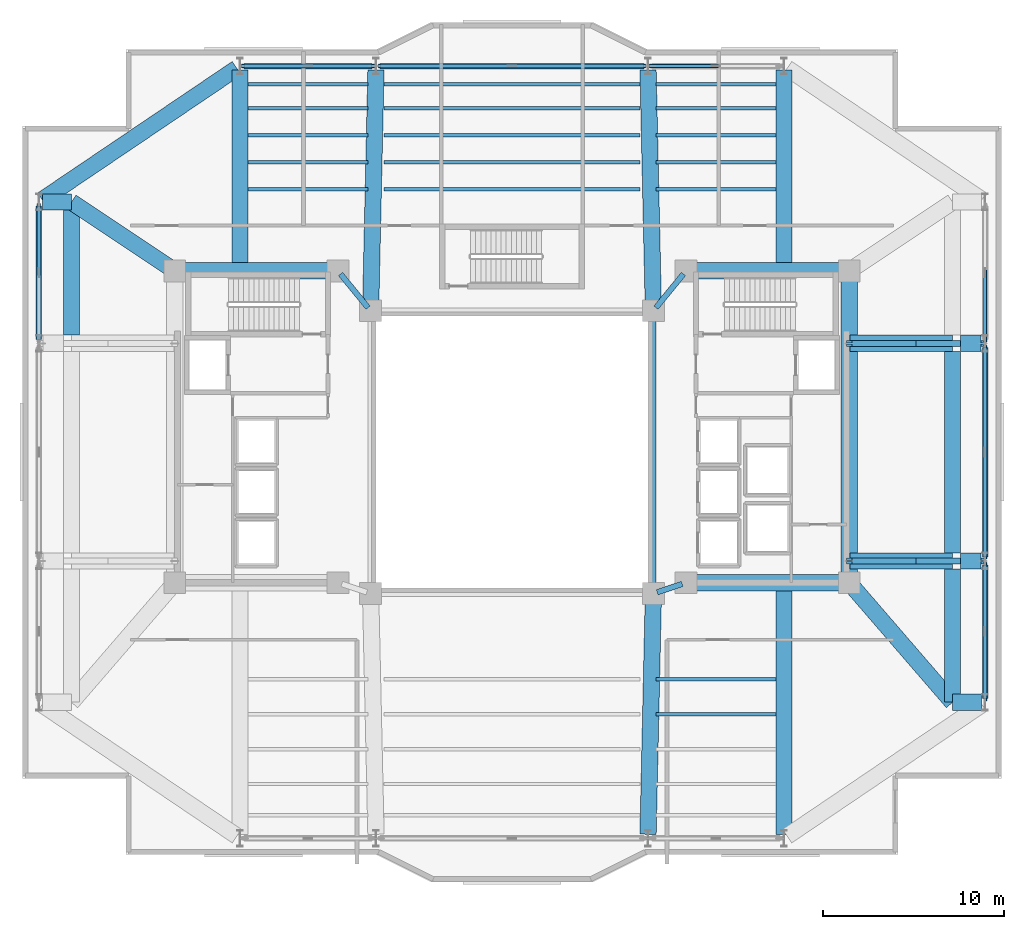
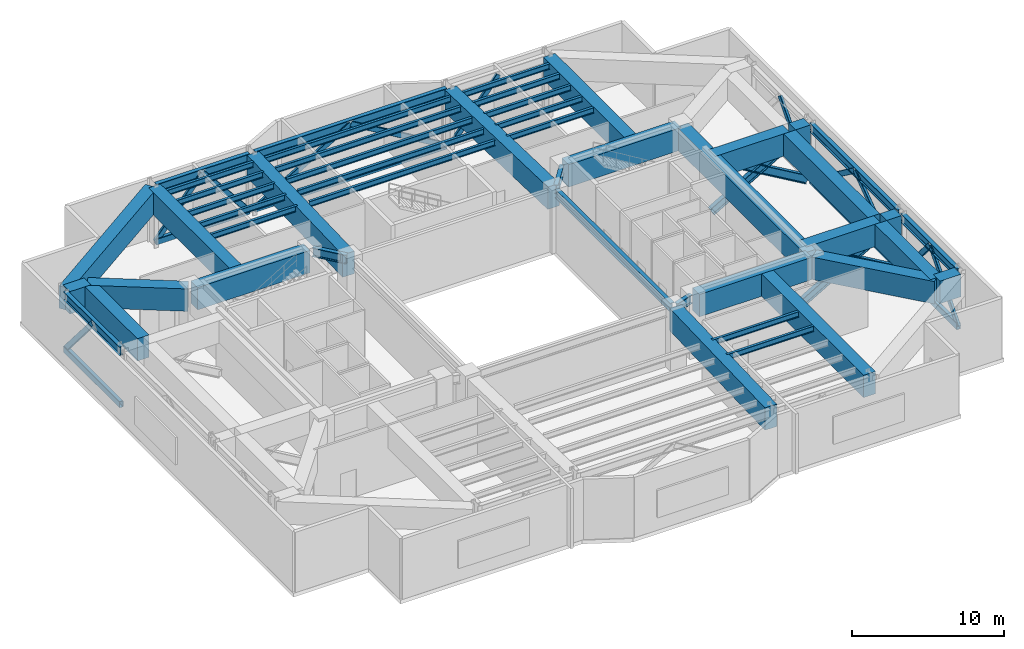
# One storey, part 2 of 13: 48 beams, 20 members.
"""IFC4 building model written with IfcOpenShell, lengths in metres."""

import ifcopenshell
import ifcopenshell.guid

model = None  # the IFC model being written
_history = None  # IfcOwnerHistory: only IFC2X3 demands one
_inside = {}  # id of a spatial element -> (the spatial element, [elements in it])
_under = {}  # id of a project, library or spatial element -> (it, [spatial elements below it])
_declared = {}  # id of a project -> (the project, [libraries it declares])
_typed = {}  # id of a type object -> (the type object, [elements of that type])
_made_of = {}  # id of a material, layer set ... -> (it, [elements and type objects made of it])


def new_model(schema):
    """Start an empty IFC model of exactly this schema.

    Asked for "IFC4X3", IfcOpenShell would pick the latest addendum, in which some entities
    have other attributes; the version numbers below select the first issue.
    IFC2X3 requires an IfcOwnerHistory on every rooted entity: one is made here for all.
    """
    global model, _history
    if schema == "IFC4X3":
        model = ifcopenshell.file(schema_version=(4, 3, 0, 0))
    else:
        model = ifcopenshell.file(schema=schema)
    _inside.clear()
    _under.clear()
    _declared.clear()
    _typed.clear()
    _made_of.clear()
    _history = None
    if model.schema == "IFC2X3":
        org = make("IfcOrganization", Name="unknown")
        user = make(
            "IfcPersonAndOrganization",
            ThePerson=make("IfcPerson", FamilyName="unknown"),
            TheOrganization=org,
        )
        app = make(
            "IfcApplication",
            ApplicationDeveloper=org,
            Version="unknown",
            ApplicationFullName="unknown",
            ApplicationIdentifier="unknown",
        )
        _history = make(
            "IfcOwnerHistory",
            OwningUser=user,
            OwningApplication=app,
            ChangeAction="ADDED",
            CreationDate=0,
        )
    return model


def make(cls, **values):
    """One entity of the class cls with the attributes given. An attribute that is None is left unset."""
    return model.create_entity(
        cls, **{name: value for name, value in values.items() if value is not None}
    )


def rooted(cls, **values):
    """An entity with a GlobalId (a new one), such as an element, a storey or a relation."""
    return make(cls, GlobalId=ifcopenshell.guid.new(), OwnerHistory=_history, **values)


def si_unit(unit_type, name, prefix=None):
    """IfcSIUnit, for example si_unit("LENGTHUNIT", "METRE", prefix="MILLI")."""
    return make("IfcSIUnit", UnitType=unit_type, Prefix=prefix, Name=name)


def assignment(units):
    """IfcUnitAssignment: the units of a project."""
    return None if units is None else make("IfcUnitAssignment", Units=units)


def point(xyz):
    """IfcCartesianPoint."""
    return None if xyz is None else make("IfcCartesianPoint", Coordinates=xyz)


def direction(xyz):
    """IfcDirection."""
    return None if xyz is None else make("IfcDirection", DirectionRatios=xyz)


def frame(location, z_axis=None, x_axis=None):
    """IfcAxis2Placement3D, a coordinate frame: its origin and axes. An axis left out is left unset."""
    return make(
        "IfcAxis2Placement3D",
        Location=point(location),
        Axis=direction(z_axis),
        RefDirection=direction(x_axis),
    )


def frame_2d(location, x_axis=None):
    """IfcAxis2Placement2D, a coordinate frame in the plane: its origin and x axis."""
    return make(
        "IfcAxis2Placement2D", Location=point(location), RefDirection=direction(x_axis)
    )


def origin():
    """The frame at (0, 0, 0) with its axes left unset."""
    return frame((0.0, 0.0, 0.0))


def origin_2d():
    """The frame at (0, 0) in the plane with its x axis left unset."""
    return frame_2d((0.0, 0.0))


def place(relative_to, where):
    """IfcLocalPlacement: puts the frame where relative to a parent placement (None: the world)."""
    return make(
        "IfcLocalPlacement", PlacementRelTo=relative_to, RelativePlacement=where
    )


def context(
    kind, dimensions, precision=None, world=None, true_north=None, identifier=None
):
    """IfcGeometricRepresentationContext, for example the 3D "Model" context."""
    return make(
        "IfcGeometricRepresentationContext",
        ContextIdentifier=identifier,
        ContextType=kind,
        CoordinateSpaceDimension=dimensions,
        Precision=precision,
        WorldCoordinateSystem=world,
        TrueNorth=true_north,
    )


def subcontext(parent, identifier, kind, view, scale=None):
    """IfcGeometricRepresentationSubContext, for example "Body" below "Model"."""
    return make(
        "IfcGeometricRepresentationSubContext",
        ContextIdentifier=identifier,
        ContextType=kind,
        ParentContext=parent,
        TargetScale=scale,
        TargetView=view,
    )


def project(units=None, contexts=None):
    """IfcProject with its units and contexts."""
    return rooted(
        "IfcProject",
        Name="project",
        RepresentationContexts=contexts,
        UnitsInContext=assignment(units),
    )


def spatial(cls, under=None, at=None, **own):
    """A site, building, storey or space (cls), placed at a placement, below another one or the project."""
    s = rooted(cls, ObjectPlacement=at, **own)
    if under is not None:
        _under.setdefault(under.id(), (under, []))[1].append(s)
    return s


def profile(cls, at=None, kind="AREA", **sizes):
    """A parametric profile (cls). Its sizes go by their IFC names, for example OverallWidth=200.0."""
    return make(cls, ProfileType=kind, Position=at, **sizes)


def rectangle(**sizes):
    """IfcRectangleProfileDef."""
    return profile("IfcRectangleProfileDef", **sizes)


def hollow_rectangle(**sizes):
    """IfcRectangleHollowProfileDef."""
    return profile("IfcRectangleHollowProfileDef", **sizes)


def i_section(**sizes):
    """IfcIShapeProfileDef."""
    return profile("IfcIShapeProfileDef", **sizes)


def extrude(swept, where, along, depth):
    """IfcExtrudedAreaSolid: the profile swept, set in the frame where, extruded along a direction by depth."""
    return make(
        "IfcExtrudedAreaSolid",
        SweptArea=swept,
        Position=where,
        ExtrudedDirection=direction(along),
        Depth=depth,
    )


def shape(context_of_items, identifier, shape_type, items):
    """IfcShapeRepresentation: the items that make up one representation, for example the "Body"."""
    return make(
        "IfcShapeRepresentation",
        ContextOfItems=context_of_items,
        RepresentationIdentifier=identifier,
        RepresentationType=shape_type,
        Items=items,
    )


def material(Name=None, Category=None):
    """IfcMaterial."""
    return make("IfcMaterial", Name=Name, Category=Category)


def material_profile(
    of_material, cross_section, Name=None, Category=None, Priority=None
):
    """IfcMaterialProfile: a cross section and its material."""
    return make(
        "IfcMaterialProfile",
        Name=Name,
        Material=of_material,
        Profile=cross_section,
        Priority=Priority,
        Category=Category,
    )


def profile_set(profiles, Name=None, composite=None):
    """IfcMaterialProfileSet."""
    return make(
        "IfcMaterialProfileSet",
        Name=Name,
        MaterialProfiles=profiles,
        CompositeProfile=composite,
    )


def made_of(thing, what):
    """Note that an element or type object is made of a material, layer set ...; save() writes the relation."""
    if what is not None:
        _made_of.setdefault(what.id(), (what, []))[1].append(thing)
    return thing


def type_object(cls, material=None, **own):
    """A type object (cls), such as IfcWallType, which elements share."""
    return made_of(rooted(cls, **own), material)


def element(
    cls,
    number,
    at=None,
    inside=None,
    cuts=None,
    type_object=None,
    material=None,
    context=None,
    identifier="Body",
    shape_type=None,
    held_by="IfcProductDefinitionShape",
    body=None,
    shapes=None,
    **own,
):
    """One element of the class cls, such as IfcWall. Its Tag is "e" and its number.

    at: its placement. inside: the storey or other place that contains it. cuts: it is an
    opening in that element (IfcRelVoidsElement). A single representation is given by context,
    identifier, shape_type and body (its items); several are given by shapes. held_by: the class
    of the entity that holds the representations. save() writes the other relations.
    """
    e = rooted(cls, Tag="e%d" % number, ObjectPlacement=at, **own)
    if body is not None:
        shapes = [shape(context, identifier, shape_type, body)]
    if shapes is not None:
        e.Representation = make(held_by, Representations=shapes)
    if inside is not None:
        _inside.setdefault(inside.id(), (inside, []))[1].append(e)
    if cuts is not None:
        rooted(
            "IfcRelVoidsElement", RelatingBuildingElement=cuts, RelatedOpeningElement=e
        )
    if type_object is not None:
        _typed.setdefault(type_object.id(), (type_object, []))[1].append(e)
    return made_of(e, material)


def aggregate(whole, parts):
    """IfcRelAggregates: a whole, such as a stair, and the parts it consists of."""
    return rooted("IfcRelAggregates", RelatingObject=whole, RelatedObjects=parts)


def save(model, path):
    """Write the relations noted so far, then the file.

    IfcRelAggregates (storeys below a building ...), IfcRelContainedInSpatialStructure (elements
    in a storey), IfcRelDefinesByType, IfcRelAssociatesMaterial and IfcRelDeclares: one each for
    every whole, place, type object, material and project.
    """
    for whole, parts in _under.values():
        aggregate(whole, parts)
    for where, things in _inside.values():
        rooted(
            "IfcRelContainedInSpatialStructure",
            RelatedElements=things,
            RelatingStructure=where,
        )
    for kind, things in _typed.values():
        rooted("IfcRelDefinesByType", RelatedObjects=things, RelatingType=kind)
    for what, things in _made_of.values():
        rooted("IfcRelAssociatesMaterial", RelatedObjects=things, RelatingMaterial=what)
    for by, libraries in _declared.values():
        rooted("IfcRelDeclares", RelatingContext=by, RelatedDefinitions=libraries)
    model.write(path)


model = new_model("IFC4")

# Units and contexts
model_context = context("Model", 3, precision=1e-05, world=origin(), true_north=direction((0.0, 1.0)))
body_context = subcontext(model_context, "Body", "Model", "MODEL_VIEW")
ifc_project = project(units=[si_unit("LENGTHUNIT", "METRE"), si_unit("AREAUNIT", "SQUARE_METRE"), si_unit("VOLUMEUNIT", "CUBIC_METRE"), si_unit("PLANEANGLEUNIT", "RADIAN"), si_unit("MASSUNIT", "GRAM", prefix="KILO")], contexts=[model_context])

# Site, building, storey
site_placement = place(None, origin())
site = spatial("IfcSite", under=ifc_project, at=site_placement, CompositionType="ELEMENT")
building_placement = place(site_placement, origin())
building = spatial("IfcBuilding", under=site, at=building_placement, Name="Tarnavaz Court Tower", CompositionType="ELEMENT")
storey_placement = place(building_placement, frame((0.0, 0.0, 127.5)))
storey = spatial("IfcBuildingStorey", under=building, at=storey_placement, Name="L34", CompositionType="ELEMENT", Elevation=127.5)

# Beams
ifc_material_1 = material(Name="Steel S460", Category="steel")
ifc_material_profile_1 = material_profile(ifc_material_1, i_section(OverallWidth=0.303955078125, OverallDepth=0.716064453125, WebThickness=0.02099609375, FlangeThickness=0.0400390625, FilletRadius=0.027099609375, at=origin_2d()), Name="HEM 700")
ifc_profile_set_1 = profile_set([ifc_material_profile_1], Name="Steel S460")
beam_type_1 = type_object("IfcBeamType", Name="BM-BT-HEM700", PredefinedType="USERDEFINED", material=ifc_profile_set_1)
beam_1_placement = place(storey_placement, frame((7.800048828125, -7.580078125, 4.491943359375), z_axis=(0.0, 1.0, 0.0), x_axis=(-1.0, 0.0, 0.0)))
element("IfcBeam", 1, at=beam_1_placement, inside=storey, type_object=beam_type_1, Name="L34 Beam IN-IW-SE-IW-NE", ObjectType="GIRDER", PredefinedType="USERDEFINED", context=body_context, shape_type="SweptSolid", body=[
    extrude(i_section(OverallWidth=0.303955078125, OverallDepth=0.716064453125, WebThickness=0.02099609375, FlangeThickness=0.0400390625, FilletRadius=0.027099609375, at=origin_2d()), origin(), (0.0, 0.0, 1.0), 15.16015625),
])
beam_2_placement = place(storey_placement, frame((9.391357421875, -7.26953125, 4.491943359375), z_axis=(-0.948666544706, -0.316278021615, 0.0), x_axis=(0.316278021615, -0.948666544706, 0.0)))
element("IfcBeam", 2, at=beam_2_placement, inside=storey, type_object=beam_type_1, Name="L34 Beam IN-CE-SI-IW-SE", ObjectType="GIRDER", PredefinedType="USERDEFINED", context=body_context, shape_type="SweptSolid", body=[
    extrude(i_section(OverallWidth=0.303955078125, OverallDepth=0.716064453125, WebThickness=0.02099609375, FlangeThickness=0.0400390625, FilletRadius=0.027099609375, at=origin_2d()), origin(), (0.0, 0.0, 1.0), 1.457275390625),
])
for number, where, z_axis, x_axis, name in (
    (3, (-9.460693359375, 9.82958984375, 4.491943359375), (0.633282058357, -0.773921077735, 0.0), (0.773921077735, 0.633282058357, 0.0), "L34 Beam IN-CW-NI-IW-NW"),
    (4, (9.460693359375, 9.82958984375, 4.491943359375), (-0.633282058357, -0.773921077735, 0.0), (0.773921077735, -0.633282058357, 0.0), "L34 Beam IN-CE-NI-IW-NE"),
):
    element("IfcBeam", number, at=place(storey_placement, frame(where, z_axis=z_axis, x_axis=x_axis)), inside=storey, type_object=beam_type_1, Name=name, ObjectType="GIRDER", PredefinedType="USERDEFINED", context=body_context, shape_type="SweptSolid", body=[
        extrude(i_section(OverallWidth=0.303955078125, OverallDepth=0.716064453125, WebThickness=0.02099609375, FlangeThickness=0.0400390625, FilletRadius=0.027099609375, at=origin_2d()), origin(), (0.0, 0.0, 1.0), 2.402587890625),
    ])
beam_3_placement = place(storey_placement, frame((-14.780029296875, 21.300048828125, 4.491943359375), z_axis=(1.0, 0.0, 0.0), x_axis=(0.0, 1.0, 0.0)))
element("IfcBeam", 5, at=beam_3_placement, inside=storey, type_object=beam_type_1, Name="L34 Beam PR-PN-1-PN-2", ObjectType="GIRDER", PredefinedType="USERDEFINED", context=body_context, shape_type="SweptSolid", body=[
    extrude(i_section(OverallWidth=0.303955078125, OverallDepth=0.716064453125, WebThickness=0.02099609375, FlangeThickness=0.0400390625, FilletRadius=0.027099609375, at=origin_2d()), origin(), (0.0, 0.0, 1.0), 7.06005859375),
])
beam_4_placement = place(storey_placement, frame((-7.280029296875, 21.300048828125, 4.491943359375), z_axis=(1.0, 0.0, 0.0), x_axis=(0.0, 1.0, 0.0)))
element("IfcBeam", 6, at=beam_4_placement, inside=storey, type_object=beam_type_1, Name="L34 Beam PR-PN-2-PN-3", ObjectType="GIRDER", PredefinedType="USERDEFINED", context=body_context, shape_type="SweptSolid", body=[
    extrude(i_section(OverallWidth=0.303955078125, OverallDepth=0.716064453125, WebThickness=0.02099609375, FlangeThickness=0.0400390625, FilletRadius=0.027099609375, at=origin_2d()), origin(), (0.0, 0.0, 1.0), 14.56005859375),
])
beam_5_placement = place(storey_placement, frame((26.10009765625, -13.580078125, 4.491943359375), z_axis=(0.0, 1.0, 0.0), x_axis=(-1.0, 0.0, 0.0)))
element("IfcBeam", 7, at=beam_5_placement, inside=storey, type_object=beam_type_1, Name="L34 Beam PR-PE-1-PE-2", ObjectType="GIRDER", PredefinedType="USERDEFINED", context=body_context, shape_type="SweptSolid", body=[
    extrude(i_section(OverallWidth=0.303955078125, OverallDepth=0.716064453125, WebThickness=0.02099609375, FlangeThickness=0.0400390625, FilletRadius=0.027099609375, at=origin_2d()), origin(), (0.0, 0.0, 1.0), 7.360107421875),
])
beam_6_placement = place(storey_placement, frame((26.10009765625, -5.780029296875, 4.491943359375), z_axis=(0.0, 1.0, 0.0), x_axis=(-1.0, 0.0, 0.0)))
element("IfcBeam", 8, at=beam_6_placement, inside=storey, type_object=beam_type_1, Name="L34 Beam PR-PE-2-PE-3", ObjectType="GIRDER", PredefinedType="USERDEFINED", context=body_context, shape_type="SweptSolid", body=[
    extrude(i_section(OverallWidth=0.303955078125, OverallDepth=0.716064453125, WebThickness=0.02099609375, FlangeThickness=0.0400390625, FilletRadius=0.027099609375, at=origin_2d()), origin(), (0.0, 0.0, 1.0), 11.56005859375),
])
beam_7_placement = place(storey_placement, frame((-26.10009765625, 6.219970703125, 4.491943359375), z_axis=(0.0, 1.0, 0.0), x_axis=(-1.0, 0.0, 0.0)))
element("IfcBeam", 9, at=beam_7_placement, inside=storey, type_object=beam_type_1, Name="L34 Beam PR-PW-3-PW-4", ObjectType="GIRDER", PredefinedType="USERDEFINED", context=body_context, shape_type="SweptSolid", body=[
    extrude(i_section(OverallWidth=0.303955078125, OverallDepth=0.716064453125, WebThickness=0.02099609375, FlangeThickness=0.0400390625, FilletRadius=0.027099609375, at=origin_2d()), origin(), (0.0, 0.0, 1.0), 7.360107421875),
])
ifc_material_2 = material(Name="Steel S355", Category="steel")
ifc_material_profile_2 = material_profile(ifc_material_2, i_section(OverallWidth=0.18994140625, OverallDepth=0.449951171875, WebThickness=0.009521484375, FlangeThickness=0.0146484375, FilletRadius=0.02099609375, at=origin_2d()), Name="IPE 450")
ifc_profile_set_2 = profile_set([ifc_material_profile_2], Name="Steel S355")
beam_type_2 = type_object("IfcBeamType", Name="BM-J-IPE450", PredefinedType="JOIST", material=ifc_profile_set_2)
beam_8_placement = place(storey_placement, frame((-14.550048828125, 14.493896484375, 4.625), z_axis=(1.0, 0.0, 0.0), x_axis=(0.0, 1.0, 0.0)))
element("IfcBeam", 10, at=beam_8_placement, inside=storey, type_object=beam_type_2, Name="L34 Beam JN1-1", PredefinedType="JOIST", context=body_context, shape_type="SweptSolid", body=[
    extrude(i_section(OverallWidth=0.18994140625, OverallDepth=0.449951171875, WebThickness=0.009521484375, FlangeThickness=0.0146484375, FilletRadius=0.02099609375, at=origin_2d()), origin(), (0.0, 0.0, 1.0), 6.60009765625),
])
beam_9_placement = place(storey_placement, frame((-7.050048828125, 14.493896484375, 4.625), z_axis=(1.0, 0.0, 0.0), x_axis=(0.0, 1.0, 0.0)))
element("IfcBeam", 11, at=beam_9_placement, inside=storey, type_object=beam_type_2, Name="L34 Beam JN1-2", PredefinedType="JOIST", context=body_context, shape_type="SweptSolid", body=[
    extrude(i_section(OverallWidth=0.18994140625, OverallDepth=0.449951171875, WebThickness=0.009521484375, FlangeThickness=0.0146484375, FilletRadius=0.02099609375, at=origin_2d()), origin(), (0.0, 0.0, 1.0), 14.10009765625),
])
for number, where, z_axis, x_axis, name in (
    (12, (7.949951171875, 14.493896484375, 4.625), (1.0, 0.0, 0.0), (0.0, 1.0, 0.0), "L34 Beam JN1-3"),
    (13, (7.949951171875, -12.52587890625, 4.625), (1.0, 0.0, 0.0), (0.0, 1.0, 0.0), "L34 Beam JS1-3"),
    (14, (-14.550048828125, 15.988037109375, 4.625), (1.0, 0.0, 0.0), (0.0, 1.0, 0.0), "L34 Beam JN2-1"),
):
    element("IfcBeam", number, at=place(storey_placement, frame(where, z_axis=z_axis, x_axis=x_axis)), inside=storey, type_object=beam_type_2, Name=name, PredefinedType="JOIST", context=body_context, shape_type="SweptSolid", body=[
        extrude(i_section(OverallWidth=0.18994140625, OverallDepth=0.449951171875, WebThickness=0.009521484375, FlangeThickness=0.0146484375, FilletRadius=0.02099609375, at=origin_2d()), origin(), (0.0, 0.0, 1.0), 6.60009765625),
    ])
beam_10_placement = place(storey_placement, frame((-7.050048828125, 15.988037109375, 4.625), z_axis=(1.0, 0.0, 0.0), x_axis=(0.0, 1.0, 0.0)))
element("IfcBeam", 15, at=beam_10_placement, inside=storey, type_object=beam_type_2, Name="L34 Beam JN2-2", PredefinedType="JOIST", context=body_context, shape_type="SweptSolid", body=[
    extrude(i_section(OverallWidth=0.18994140625, OverallDepth=0.449951171875, WebThickness=0.009521484375, FlangeThickness=0.0146484375, FilletRadius=0.02099609375, at=origin_2d()), origin(), (0.0, 0.0, 1.0), 14.10009765625),
])
for number, where, z_axis, x_axis, name in (
    (16, (7.949951171875, 15.988037109375, 4.625), (1.0, 0.0, 0.0), (0.0, 1.0, 0.0), "L34 Beam JN2-3"),
    (17, (7.949951171875, -14.451904296875, 4.625), (1.0, 0.0, 0.0), (0.0, 1.0, 0.0), "L34 Beam JS2-3"),
    (18, (-14.550048828125, 17.48193359375, 4.625), (1.0, 0.0, 0.0), (0.0, 1.0, 0.0), "L34 Beam JN3-1"),
):
    element("IfcBeam", number, at=place(storey_placement, frame(where, z_axis=z_axis, x_axis=x_axis)), inside=storey, type_object=beam_type_2, Name=name, PredefinedType="JOIST", context=body_context, shape_type="SweptSolid", body=[
        extrude(i_section(OverallWidth=0.18994140625, OverallDepth=0.449951171875, WebThickness=0.009521484375, FlangeThickness=0.0146484375, FilletRadius=0.02099609375, at=origin_2d()), origin(), (0.0, 0.0, 1.0), 6.60009765625),
    ])
beam_11_placement = place(storey_placement, frame((-7.050048828125, 17.48193359375, 4.625), z_axis=(1.0, 0.0, 0.0), x_axis=(0.0, 1.0, 0.0)))
element("IfcBeam", 19, at=beam_11_placement, inside=storey, type_object=beam_type_2, Name="L34 Beam JN3-2", PredefinedType="JOIST", context=body_context, shape_type="SweptSolid", body=[
    extrude(i_section(OverallWidth=0.18994140625, OverallDepth=0.449951171875, WebThickness=0.009521484375, FlangeThickness=0.0146484375, FilletRadius=0.02099609375, at=origin_2d()), origin(), (0.0, 0.0, 1.0), 14.10009765625),
])
for number, where, z_axis, x_axis, name in (
    (20, (7.949951171875, 17.48193359375, 4.625), (1.0, 0.0, 0.0), (0.0, 1.0, 0.0), "L34 Beam JN3-3"),
    (21, (-14.550048828125, 18.97607421875, 4.625), (1.0, 0.0, 0.0), (0.0, 1.0, 0.0), "L34 Beam JN4-1"),
):
    element("IfcBeam", number, at=place(storey_placement, frame(where, z_axis=z_axis, x_axis=x_axis)), inside=storey, type_object=beam_type_2, Name=name, PredefinedType="JOIST", context=body_context, shape_type="SweptSolid", body=[
        extrude(i_section(OverallWidth=0.18994140625, OverallDepth=0.449951171875, WebThickness=0.009521484375, FlangeThickness=0.0146484375, FilletRadius=0.02099609375, at=origin_2d()), origin(), (0.0, 0.0, 1.0), 6.60009765625),
    ])
beam_12_placement = place(storey_placement, frame((-7.050048828125, 18.97607421875, 4.625), z_axis=(1.0, 0.0, 0.0), x_axis=(0.0, 1.0, 0.0)))
element("IfcBeam", 22, at=beam_12_placement, inside=storey, type_object=beam_type_2, Name="L34 Beam JN4-2", PredefinedType="JOIST", context=body_context, shape_type="SweptSolid", body=[
    extrude(i_section(OverallWidth=0.18994140625, OverallDepth=0.449951171875, WebThickness=0.009521484375, FlangeThickness=0.0146484375, FilletRadius=0.02099609375, at=origin_2d()), origin(), (0.0, 0.0, 1.0), 14.10009765625),
])
for number, where, z_axis, x_axis, name in (
    (23, (7.949951171875, 18.97607421875, 4.625), (1.0, 0.0, 0.0), (0.0, 1.0, 0.0), "L34 Beam JN4-3"),
    (24, (-14.550048828125, 20.303955078125, 4.625), (1.0, 0.0, 0.0), (0.0, 1.0, 0.0), "L34 Beam JN5-1"),
):
    element("IfcBeam", number, at=place(storey_placement, frame(where, z_axis=z_axis, x_axis=x_axis)), inside=storey, type_object=beam_type_2, Name=name, PredefinedType="JOIST", context=body_context, shape_type="SweptSolid", body=[
        extrude(i_section(OverallWidth=0.18994140625, OverallDepth=0.449951171875, WebThickness=0.009521484375, FlangeThickness=0.0146484375, FilletRadius=0.02099609375, at=origin_2d()), origin(), (0.0, 0.0, 1.0), 6.60009765625),
    ])
beam_13_placement = place(storey_placement, frame((-7.050048828125, 20.303955078125, 4.625), z_axis=(1.0, 0.0, 0.0), x_axis=(0.0, 1.0, 0.0)))
element("IfcBeam", 25, at=beam_13_placement, inside=storey, type_object=beam_type_2, Name="L34 Beam JN5-2", PredefinedType="JOIST", context=body_context, shape_type="SweptSolid", body=[
    extrude(i_section(OverallWidth=0.18994140625, OverallDepth=0.449951171875, WebThickness=0.009521484375, FlangeThickness=0.0146484375, FilletRadius=0.02099609375, at=origin_2d()), origin(), (0.0, 0.0, 1.0), 14.10009765625),
])
beam_14_placement = place(storey_placement, frame((7.949951171875, 20.303955078125, 4.625), z_axis=(1.0, 0.0, 0.0), x_axis=(0.0, 1.0, 0.0)))
element("IfcBeam", 26, at=beam_14_placement, inside=storey, type_object=beam_type_2, Name="L34 Beam JN5-3", PredefinedType="JOIST", context=body_context, shape_type="SweptSolid", body=[
    extrude(i_section(OverallWidth=0.18994140625, OverallDepth=0.449951171875, WebThickness=0.009521484375, FlangeThickness=0.0146484375, FilletRadius=0.02099609375, at=origin_2d()), origin(), (0.0, 0.0, 1.0), 6.60009765625),
])
ifc_material_3 = material(Name="Concrete C50/60", Category="concrete")
ifc_material_profile_3 = material_profile(ifc_material_3, rectangle(XDim=0.89990234375, YDim=1.800048828125, at=origin_2d()), Name="RC 900X1800")
ifc_profile_set_3 = profile_set([ifc_material_profile_3], Name="Concrete C50/60")
beam_type_3 = type_object("IfcBeamType", Name="BM-TG1800", PredefinedType="USERDEFINED", material=ifc_profile_set_3)
for number, where, z_axis, x_axis, name in (
    (27, (-18.3798828125, 10.0, 3.949951171875), (1.0, 0.0, 0.0), (0.0, 1.0, 0.0), "L34 Beam IN-CW-NO-CW-NI"),
    (28, (18.3798828125, -7.199951171875, 3.949951171875), (-1.0, 0.0, 0.0), (0.0, -1.0, 0.0), "L34 Beam IN-CE-SO-CE-SI"),
    (29, (18.3798828125, 10.0, 3.949951171875), (-1.0, 0.0, 0.0), (0.0, -1.0, 0.0), "L34 Beam IN-CE-NO-CE-NI"),
):
    element("IfcBeam", number, at=place(storey_placement, frame(where, z_axis=z_axis, x_axis=x_axis)), inside=storey, type_object=beam_type_3, Name=name, ObjectType="GIRDER", PredefinedType="USERDEFINED", context=body_context, shape_type="SweptSolid", body=[
        extrude(rectangle(XDim=0.89990234375, YDim=1.800048828125, at=origin_2d()), origin(), (0.0, 0.0, 1.0), 8.559814453125),
    ])
beam_15_placement = place(storey_placement, frame((18.60009765625, -6.97998046875, 3.949951171875), z_axis=(0.0, 1.0, 0.0), x_axis=(-1.0, 0.0, 0.0)))
element("IfcBeam", 30, at=beam_15_placement, inside=storey, type_object=beam_type_3, Name="L34 Beam IN-CE-SO-CE-NO", ObjectType="GIRDER", PredefinedType="USERDEFINED", context=body_context, shape_type="SweptSolid", body=[
    extrude(rectangle(XDim=0.89990234375, YDim=1.800048828125, at=origin_2d()), origin(), (0.0, 0.0, 1.0), 16.760009765625),
])
beam_16_placement = place(storey_placement, frame((-25.917724609375, 13.923095703125, 3.949951171875), z_axis=(0.828587314918, 0.559859858854, 0.0), x_axis=(-0.559859858854, 0.828587314918, 0.0)))
element("IfcBeam", 31, at=beam_16_placement, inside=storey, type_object=beam_type_3, Name="L34 Beam PR-PW-4-PN-1", ObjectType="GIRDER", PredefinedType="USERDEFINED", context=body_context, shape_type="SweptSolid", body=[
    extrude(rectangle(XDim=0.89990234375, YDim=1.800048828125, at=origin_2d()), origin(), (0.0, 0.0, 1.0), 12.956298828125),
])
beam_17_placement = place(storey_placement, frame((-15.0, 10.0400390625, 3.949951171875), z_axis=(0.0, 1.0, 0.0), x_axis=(-1.0, 0.0, 0.0)))
element("IfcBeam", 32, at=beam_17_placement, inside=storey, type_object=beam_type_3, Name="L34 Beam RG-01", ObjectType="GIRDER", PredefinedType="USERDEFINED", context=body_context, shape_type="SweptSolid", body=[
    extrude(rectangle(XDim=0.89990234375, YDim=1.800048828125, at=origin_2d()), origin(), (0.0, 0.0, 1.0), 11.0400390625),
])
for number, where, z_axis, x_axis, name in (
    (33, (-7.795166015625, 8.02001953125, 3.949951171875), (0.022221303469, 0.99975307635, 0.0), (-0.99975307635, 0.022221303469, 0.0), "L34 Beam RG-02"),
    (34, (7.795166015625, 8.02001953125, 3.949951171875), (-0.022221303469, 0.99975307635, 0.0), (-0.99975307635, -0.022221303469, 0.0), "L34 Beam RG-03"),
):
    element("IfcBeam", number, at=place(storey_placement, frame(where, z_axis=z_axis, x_axis=x_axis)), inside=storey, type_object=beam_type_3, Name=name, ObjectType="GIRDER", PredefinedType="USERDEFINED", context=body_context, shape_type="SweptSolid", body=[
        extrude(rectangle(XDim=0.89990234375, YDim=1.800048828125, at=origin_2d()), origin(), (0.0, 0.0, 1.0), 13.063232421875),
    ])
beam_18_placement = place(storey_placement, frame((15.0, 10.0400390625, 3.949951171875), z_axis=(0.0, 1.0, 0.0), x_axis=(-1.0, 0.0, 0.0)))
element("IfcBeam", 35, at=beam_18_placement, inside=storey, type_object=beam_type_3, Name="L34 Beam RG-04", ObjectType="GIRDER", PredefinedType="USERDEFINED", context=body_context, shape_type="SweptSolid", body=[
    extrude(rectangle(XDim=0.89990234375, YDim=1.800048828125, at=origin_2d()), origin(), (0.0, 0.0, 1.0), 11.0400390625),
])
beam_19_placement = place(storey_placement, frame((7.795166015625, -8.02001953125, 3.949951171875), z_axis=(-0.022221303469, -0.99975307635, 0.0), x_axis=(0.99975307635, -0.022221303469, 0.0)))
element("IfcBeam", 36, at=beam_19_placement, inside=storey, type_object=beam_type_3, Name="L34 Beam RG-07", ObjectType="GIRDER", PredefinedType="USERDEFINED", context=body_context, shape_type="SweptSolid", body=[
    extrude(rectangle(XDim=0.89990234375, YDim=1.800048828125, at=origin_2d()), origin(), (0.0, 0.0, 1.0), 13.063232421875),
])
beam_20_placement = place(storey_placement, frame((15.0, -7.239990234375, 3.949951171875), z_axis=(0.0, -1.0, 0.0), x_axis=(1.0, 0.0, 0.0)))
element("IfcBeam", 37, at=beam_20_placement, inside=storey, type_object=beam_type_3, Name="L34 Beam RG-08", ObjectType="GIRDER", PredefinedType="USERDEFINED", context=body_context, shape_type="SweptSolid", body=[
    extrude(rectangle(XDim=0.89990234375, YDim=1.800048828125, at=origin_2d()), origin(), (0.0, 0.0, 1.0), 13.840087890625),
])
beam_21_placement = place(storey_placement, frame((18.639892578125, -6.0, 3.949951171875), z_axis=(1.0, 0.0, 0.0), x_axis=(0.0, 1.0, 0.0)))
element("IfcBeam", 38, at=beam_21_placement, inside=storey, type_object=beam_type_3, Name="L34 Beam RG-09", ObjectType="GIRDER", PredefinedType="USERDEFINED", context=body_context, shape_type="SweptSolid", body=[
    extrude(rectangle(XDim=0.89990234375, YDim=1.800048828125, at=origin_2d()), origin(), (0.0, 0.0, 1.0), 5.66015625),
])
beam_22_placement = place(storey_placement, frame((24.75, -6.0, 3.949951171875), z_axis=(1.0, 0.0, 0.0), x_axis=(0.0, 1.0, 0.0)))
element("IfcBeam", 39, at=beam_22_placement, inside=storey, type_object=beam_type_3, Name="L34 Beam RG-09B", ObjectType="GIRDER", PredefinedType="USERDEFINED", context=body_context, shape_type="SweptSolid", body=[
    extrude(rectangle(XDim=0.89990234375, YDim=1.800048828125, at=origin_2d()), origin(), (0.0, 0.0, 1.0), 1.1298828125),
])
beam_23_placement = place(storey_placement, frame((18.639892578125, 6.0, 3.949951171875), z_axis=(1.0, 0.0, 0.0), x_axis=(0.0, 1.0, 0.0)))
element("IfcBeam", 40, at=beam_23_placement, inside=storey, type_object=beam_type_3, Name="L34 Beam RG-10", ObjectType="GIRDER", PredefinedType="USERDEFINED", context=body_context, shape_type="SweptSolid", body=[
    extrude(rectangle(XDim=0.89990234375, YDim=1.800048828125, at=origin_2d()), origin(), (0.0, 0.0, 1.0), 5.66015625),
])
beam_24_placement = place(storey_placement, frame((24.75, 6.0, 3.949951171875), z_axis=(1.0, 0.0, 0.0), x_axis=(0.0, 1.0, 0.0)))
element("IfcBeam", 41, at=beam_24_placement, inside=storey, type_object=beam_type_3, Name="L34 Beam RG-10B", ObjectType="GIRDER", PredefinedType="USERDEFINED", context=body_context, shape_type="SweptSolid", body=[
    extrude(rectangle(XDim=0.89990234375, YDim=1.800048828125, at=origin_2d()), origin(), (0.0, 0.0, 1.0), 1.1298828125),
])
beam_25_placement = place(storey_placement, frame((18.730712890625, -7.351318359375, 3.949951171875), z_axis=(0.653618378386, -0.756824296278, 0.0), x_axis=(0.756824296278, 0.653618378386, 0.0)))
element("IfcBeam", 42, at=beam_25_placement, inside=storey, type_object=beam_type_3, Name="L34 Beam TG-SET-ES", ObjectType="GIRDER", PredefinedType="USERDEFINED", context=body_context, shape_type="SweptSolid", body=[
    extrude(rectangle(XDim=0.89990234375, YDim=1.800048828125, at=origin_2d()), origin(), (0.0, 0.0, 1.0), 8.520751953125),
])
beam_26_placement = place(storey_placement, frame((24.300048828125, -13.800048828125, 3.949951171875), z_axis=(1.0, 0.0, 0.0), x_axis=(0.0, 1.0, 0.0)))
element("IfcBeam", 43, at=beam_26_placement, inside=storey, type_object=beam_type_3, Name="L34 Beam TG-OUT-ES", ObjectType="GIRDER", PredefinedType="USERDEFINED", context=body_context, shape_type="SweptSolid", body=[
    extrude(rectangle(XDim=0.89990234375, YDim=1.800048828125, at=origin_2d()), origin(), (0.0, 0.0, 1.0), 1.599853515625),
])
beam_27_placement = place(storey_placement, frame((24.300048828125, -13.780029296875, 3.949951171875), z_axis=(0.0, 1.0, 0.0), x_axis=(-1.0, 0.0, 0.0)))
element("IfcBeam", 44, at=beam_27_placement, inside=storey, type_object=beam_type_3, Name="L34 Beam TG-TIE-E1", ObjectType="GIRDER", PredefinedType="USERDEFINED", context=body_context, shape_type="SweptSolid", body=[
    extrude(rectangle(XDim=0.89990234375, YDim=1.800048828125, at=origin_2d()), origin(), (0.0, 0.0, 1.0), 7.330078125),
])
beam_28_placement = place(storey_placement, frame((24.300048828125, -5.550048828125, 3.949951171875), z_axis=(0.0, 1.0, 0.0), x_axis=(-1.0, 0.0, 0.0)))
element("IfcBeam", 45, at=beam_28_placement, inside=storey, type_object=beam_type_3, Name="L34 Beam TG-TIE-E2", ObjectType="GIRDER", PredefinedType="USERDEFINED", context=body_context, shape_type="SweptSolid", body=[
    extrude(rectangle(XDim=0.89990234375, YDim=1.800048828125, at=origin_2d()), origin(), (0.0, 0.0, 1.0), 11.10009765625),
])
beam_29_placement = place(storey_placement, frame((-18.766357421875, 10.11083984375, 3.949951171875), z_axis=(-0.832044646767, 0.554708667488, 0.0), x_axis=(-0.554708667488, -0.832044646767, 0.0)))
element("IfcBeam", 46, at=beam_29_placement, inside=storey, type_object=beam_type_3, Name="L34 Beam TG-SET-WN", ObjectType="GIRDER", PredefinedType="USERDEFINED", context=body_context, shape_type="SweptSolid", body=[
    extrude(rectangle(XDim=0.89990234375, YDim=1.800048828125, at=origin_2d()), origin(), (0.0, 0.0, 1.0), 6.650634765625),
])
beam_30_placement = place(storey_placement, frame((-24.300048828125, 13.800048828125, 3.949951171875), z_axis=(-1.0, 0.0, 0.0), x_axis=(0.0, -1.0, 0.0)))
element("IfcBeam", 47, at=beam_30_placement, inside=storey, type_object=beam_type_3, Name="L34 Beam TG-OUT-WN", ObjectType="GIRDER", PredefinedType="USERDEFINED", context=body_context, shape_type="SweptSolid", body=[
    extrude(rectangle(XDim=0.89990234375, YDim=1.800048828125, at=origin_2d()), origin(), (0.0, 0.0, 1.0), 1.599853515625),
])
beam_31_placement = place(storey_placement, frame((-24.300048828125, 6.449951171875, 3.949951171875), z_axis=(0.0, 1.0, 0.0), x_axis=(-1.0, 0.0, 0.0)))
element("IfcBeam", 48, at=beam_31_placement, inside=storey, type_object=beam_type_3, Name="L34 Beam TG-TIE-W3", ObjectType="GIRDER", PredefinedType="USERDEFINED", context=body_context, shape_type="SweptSolid", body=[
    extrude(rectangle(XDim=0.89990234375, YDim=1.800048828125, at=origin_2d()), origin(), (0.0, 0.0, 1.0), 7.330078125),
])

# Members
ifc_material_profile_4 = material_profile(ifc_material_1, hollow_rectangle(XDim=0.199951171875, YDim=0.39990234375, WallThickness=0.01611328125, InnerFilletRadius=0.01611328125, OuterFilletRadius=0.031982421875, at=origin_2d()), Name="RHS 400X200X16")
ifc_profile_set_4 = profile_set([ifc_material_profile_4], Name="Steel S460")
member_type_1 = type_object("IfcMemberType", Name="MB-BT-RHS400", PredefinedType="BRACE", material=ifc_profile_set_4)
for number, where, z_axis, x_axis, name in (
    (49, (-14.780029296875, 21.300048828125, 0.199951171875), (0.634508247424, 0.0, 0.772916091145), (0.0, 1.0, 0.0), "L34 Belt Truss Diagonal 01A"),
    (50, (-7.719970703125, 21.300048828125, 0.199951171875), (-0.634508247424, 0.0, 0.772916091145), (0.0, -1.0, 0.0), "L34 Belt Truss Diagonal 01B"),
):
    element("IfcMember", number, at=place(storey_placement, frame(where, z_axis=z_axis, x_axis=x_axis)), inside=storey, type_object=member_type_1, Name=name, PredefinedType="BRACE", context=body_context, shape_type="SweptSolid", body=[
        extrude(hollow_rectangle(XDim=0.199951171875, YDim=0.39990234375, WallThickness=0.01611328125, InnerFilletRadius=0.01611328125, OuterFilletRadius=0.031982421875, at=origin_2d()), origin(), (0.0, 0.0, 1.0), 5.5634765625),
    ])
for number, where, z_axis, x_axis, name in (
    (51, (-7.280029296875, 21.300048828125, 0.199951171875), (0.861019063822, 0.0, 0.508572680878), (0.0, 1.0, 0.0), "L34 Belt Truss Diagonal 02A"),
    (52, (7.280029296875, 21.300048828125, 0.199951171875), (-0.861019063822, 0.0, 0.508572680878), (0.0, -1.0, 0.0), "L34 Belt Truss Diagonal 02B"),
):
    element("IfcMember", number, at=place(storey_placement, frame(where, z_axis=z_axis, x_axis=x_axis)), inside=storey, type_object=member_type_1, Name=name, PredefinedType="BRACE", context=body_context, shape_type="SweptSolid", body=[
        extrude(hollow_rectangle(XDim=0.199951171875, YDim=0.39990234375, WallThickness=0.01611328125, InnerFilletRadius=0.01611328125, OuterFilletRadius=0.031982421875, at=origin_2d()), origin(), (0.0, 0.0, 1.0), 8.455078125),
    ])
member_1_placement = place(storey_placement, frame((7.719970703125, 21.300048828125, 0.199951171875), z_axis=(0.634508247424, 0.0, 0.772916091145), x_axis=(0.0, 1.0, 0.0)))
element("IfcMember", 53, at=member_1_placement, inside=storey, type_object=member_type_1, Name="L34 Belt Truss Diagonal 03A", PredefinedType="BRACE", context=body_context, shape_type="SweptSolid", body=[
    extrude(hollow_rectangle(XDim=0.199951171875, YDim=0.39990234375, WallThickness=0.01611328125, InnerFilletRadius=0.01611328125, OuterFilletRadius=0.031982421875, at=origin_2d()), origin(), (0.0, 0.0, 1.0), 5.5634765625),
])
member_2_placement = place(storey_placement, frame((26.10009765625, -13.580078125, 0.199951171875), z_axis=(0.0, 0.650222818954, 0.759743565758), x_axis=(-1.0, 0.0, 0.0)))
element("IfcMember", 54, at=member_2_placement, inside=storey, type_object=member_type_1, Name="L34 Belt Truss Diagonal 07A", PredefinedType="BRACE", context=body_context, shape_type="SweptSolid", body=[
    extrude(hollow_rectangle(XDim=0.199951171875, YDim=0.39990234375, WallThickness=0.01611328125, InnerFilletRadius=0.01611328125, OuterFilletRadius=0.031982421875, at=origin_2d()), origin(), (0.0, 0.0, 1.0), 5.659912109375),
])
member_3_placement = place(storey_placement, frame((26.10009765625, -6.219970703125, 0.199951171875), z_axis=(0.0, -0.650197919718, 0.759764874941), x_axis=(1.0, 0.0, 0.0)))
element("IfcMember", 55, at=member_3_placement, inside=storey, type_object=member_type_1, Name="L34 Belt Truss Diagonal 07B", PredefinedType="BRACE", context=body_context, shape_type="SweptSolid", body=[
    extrude(hollow_rectangle(XDim=0.199951171875, YDim=0.39990234375, WallThickness=0.01611328125, InnerFilletRadius=0.01611328125, OuterFilletRadius=0.031982421875, at=origin_2d()), origin(), (0.0, 0.0, 1.0), 5.65966796875),
])
for number, where, z_axis, x_axis, name in (
    (56, (26.10009765625, -5.780029296875, 0.199951171875), (0.0, 0.802324180514, 0.596888523396), (-1.0, 0.0, 0.0), "L34 Belt Truss Diagonal 08A"),
    (57, (26.10009765625, 5.780029296875, 0.199951171875), (0.0, -0.802324180514, 0.596888523396), (1.0, 0.0, 0.0), "L34 Belt Truss Diagonal 08B"),
):
    element("IfcMember", number, at=place(storey_placement, frame(where, z_axis=z_axis, x_axis=x_axis)), inside=storey, type_object=member_type_1, Name=name, PredefinedType="BRACE", context=body_context, shape_type="SweptSolid", body=[
        extrude(hollow_rectangle(XDim=0.199951171875, YDim=0.39990234375, WallThickness=0.01611328125, InnerFilletRadius=0.01611328125, OuterFilletRadius=0.031982421875, at=origin_2d()), origin(), (0.0, 0.0, 1.0), 7.2041015625),
    ])
member_4_placement = place(storey_placement, frame((26.10009765625, 6.219970703125, 0.199951171875), z_axis=(0.0, 0.650197919718, 0.759764874941), x_axis=(-1.0, 0.0, 0.0)))
element("IfcMember", 58, at=member_4_placement, inside=storey, type_object=member_type_1, Name="L34 Belt Truss Diagonal 09A", PredefinedType="BRACE", context=body_context, shape_type="SweptSolid", body=[
    extrude(hollow_rectangle(XDim=0.199951171875, YDim=0.39990234375, WallThickness=0.01611328125, InnerFilletRadius=0.01611328125, OuterFilletRadius=0.031982421875, at=origin_2d()), origin(), (0.0, 0.0, 1.0), 5.65966796875),
])
member_5_placement = place(storey_placement, frame((-26.10009765625, 13.580078125, 0.199951171875), z_axis=(0.0, -0.650222818954, 0.759743565758), x_axis=(1.0, 0.0, 0.0)))
element("IfcMember", 59, at=member_5_placement, inside=storey, type_object=member_type_1, Name="L34 Belt Truss Diagonal 12B", PredefinedType="BRACE", context=body_context, shape_type="SweptSolid", body=[
    extrude(hollow_rectangle(XDim=0.199951171875, YDim=0.39990234375, WallThickness=0.01611328125, InnerFilletRadius=0.01611328125, OuterFilletRadius=0.031982421875, at=origin_2d()), origin(), (0.0, 0.0, 1.0), 5.659912109375),
])
ifc_material_profile_5 = material_profile(ifc_material_1, hollow_rectangle(XDim=0.300048828125, YDim=0.5, WallThickness=0.02001953125, InnerFilletRadius=0.02001953125, OuterFilletRadius=0.0400390625, at=origin_2d()), Name="RHS 500X300X20")
ifc_profile_set_5 = profile_set([ifc_material_profile_5], Name="Steel S460")
member_type_2 = type_object("IfcMemberType", Name="MB-BT-RHS500", PredefinedType="CHORD", material=ifc_profile_set_5)
member_6_placement = place(storey_placement, frame((-14.780029296875, 21.300048828125, 0.199951171875), z_axis=(1.0, 0.0, 0.0), x_axis=(0.0, 1.0, 0.0)))
element("IfcMember", 60, at=member_6_placement, inside=storey, type_object=member_type_2, Name="L34 Belt Truss Bottom Chord PN-1-PN-2", PredefinedType="CHORD", context=body_context, shape_type="SweptSolid", body=[
    extrude(hollow_rectangle(XDim=0.300048828125, YDim=0.5, WallThickness=0.02001953125, InnerFilletRadius=0.02001953125, OuterFilletRadius=0.0400390625, at=origin_2d()), origin(), (0.0, 0.0, 1.0), 7.06005859375),
])
member_7_placement = place(storey_placement, frame((-7.280029296875, 21.300048828125, 0.199951171875), z_axis=(1.0, 0.0, 0.0), x_axis=(0.0, 1.0, 0.0)))
element("IfcMember", 61, at=member_7_placement, inside=storey, type_object=member_type_2, Name="L34 Belt Truss Bottom Chord PN-2-PN-3", PredefinedType="CHORD", context=body_context, shape_type="SweptSolid", body=[
    extrude(hollow_rectangle(XDim=0.300048828125, YDim=0.5, WallThickness=0.02001953125, InnerFilletRadius=0.02001953125, OuterFilletRadius=0.0400390625, at=origin_2d()), origin(), (0.0, 0.0, 1.0), 14.56005859375),
])
member_8_placement = place(storey_placement, frame((26.10009765625, -13.580078125, 0.199951171875), z_axis=(0.0, 1.0, 0.0), x_axis=(-1.0, 0.0, 0.0)))
element("IfcMember", 62, at=member_8_placement, inside=storey, type_object=member_type_2, Name="L34 Belt Truss Bottom Chord PE-1-PE-2", PredefinedType="CHORD", context=body_context, shape_type="SweptSolid", body=[
    extrude(hollow_rectangle(XDim=0.300048828125, YDim=0.5, WallThickness=0.02001953125, InnerFilletRadius=0.02001953125, OuterFilletRadius=0.0400390625, at=origin_2d()), origin(), (0.0, 0.0, 1.0), 7.360107421875),
])
member_9_placement = place(storey_placement, frame((26.10009765625, -5.780029296875, 0.199951171875), z_axis=(0.0, 1.0, 0.0), x_axis=(-1.0, 0.0, 0.0)))
element("IfcMember", 63, at=member_9_placement, inside=storey, type_object=member_type_2, Name="L34 Belt Truss Bottom Chord PE-2-PE-3", PredefinedType="CHORD", context=body_context, shape_type="SweptSolid", body=[
    extrude(hollow_rectangle(XDim=0.300048828125, YDim=0.5, WallThickness=0.02001953125, InnerFilletRadius=0.02001953125, OuterFilletRadius=0.0400390625, at=origin_2d()), origin(), (0.0, 0.0, 1.0), 11.56005859375),
])
member_10_placement = place(storey_placement, frame((-26.10009765625, 6.219970703125, 0.199951171875), z_axis=(0.0, 1.0, 0.0), x_axis=(-1.0, 0.0, 0.0)))
element("IfcMember", 64, at=member_10_placement, inside=storey, type_object=member_type_2, Name="L34 Belt Truss Bottom Chord PW-3-PW-4", PredefinedType="CHORD", context=body_context, shape_type="SweptSolid", body=[
    extrude(hollow_rectangle(XDim=0.300048828125, YDim=0.5, WallThickness=0.02001953125, InnerFilletRadius=0.02001953125, OuterFilletRadius=0.0400390625, at=origin_2d()), origin(), (0.0, 0.0, 1.0), 7.360107421875),
])
ifc_material_profile_6 = material_profile(ifc_material_1, i_section(OverallWidth=0.3291015625, OverallDepth=0.635009765625, WebThickness=0.017822265625, FlangeThickness=0.031005859375, FilletRadius=0.017822265625, at=origin_2d()), Name="W24X162")
ifc_profile_set_6 = profile_set([ifc_material_profile_6], Name="Steel S460")
member_type_3 = type_object("IfcMemberType", Name="MB-OUT-W24", PredefinedType="BRACE", material=ifc_profile_set_6)
for number, where, z_axis, x_axis, name in (
    (65, (18.60009765625, -6.0, 0.199951171875), (0.863431731238, 0.0, 0.504465702989), (0.0, 1.0, 0.0), "L34 Core-to-Ring Outrigger Diagonal 1A"),
    (66, (18.60009765625, -6.0, 4.5), (0.863431731238, 0.0, -0.504465702989), (0.0, 1.0, 0.0), "L34 Core-to-Ring Outrigger Tie 1B"),
    (67, (18.60009765625, 6.0, 0.199951171875), (0.863431731238, 0.0, 0.504465702989), (0.0, 1.0, 0.0), "L34 Core-to-Ring Outrigger Diagonal 2A"),
    (68, (18.60009765625, 6.0, 4.5), (0.863431731238, 0.0, -0.504465702989), (0.0, 1.0, 0.0), "L34 Core-to-Ring Outrigger Tie 2B"),
):
    element("IfcMember", number, at=place(storey_placement, frame(where, z_axis=z_axis, x_axis=x_axis)), inside=storey, type_object=member_type_3, Name=name, PredefinedType="BRACE", context=body_context, shape_type="SweptSolid", body=[
        extrude(i_section(OverallWidth=0.3291015625, OverallDepth=0.635009765625, WebThickness=0.017822265625, FlangeThickness=0.031005859375, FilletRadius=0.017822265625, at=origin_2d()), origin(), (0.0, 0.0, 1.0), 8.52392578125),
    ])

save(model, "model.ifc")
